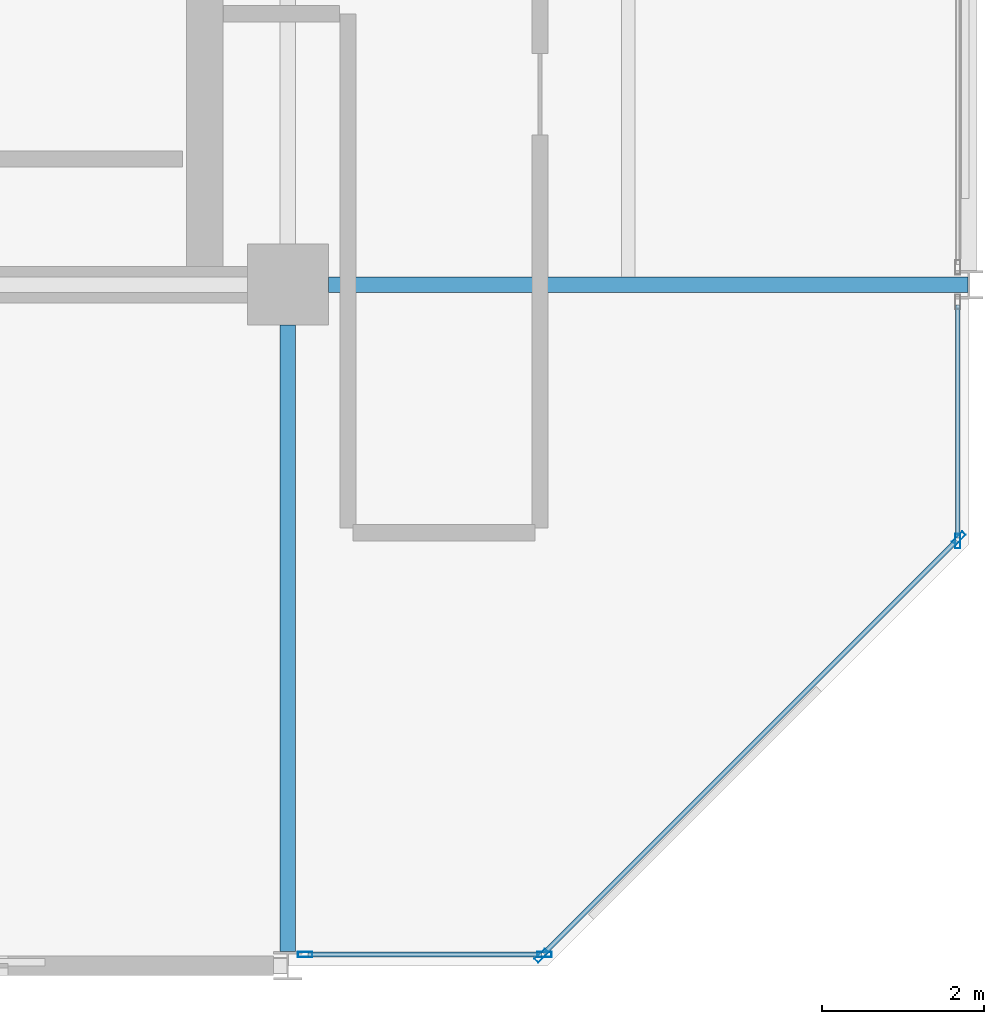
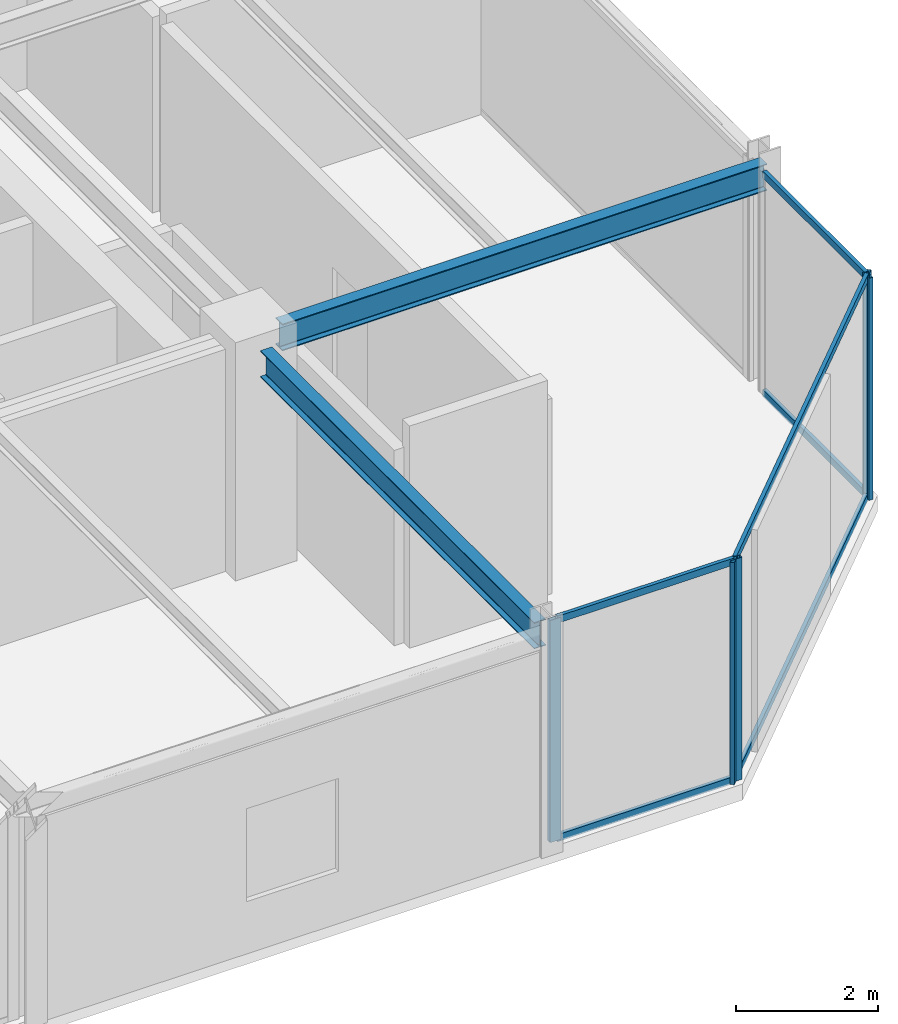
# One storey, part 13 of 25: 11 members, 2 beams, 3 elements without a shape of their own.
"""IFC4 building model written with IfcOpenShell, lengths in metres."""

import ifcopenshell
import ifcopenshell.guid

model = None  # the IFC model being written
_history = None  # IfcOwnerHistory: only IFC2X3 demands one
_inside = {}  # id of a spatial element -> (the spatial element, [elements in it])
_under = {}  # id of a project, library or spatial element -> (it, [spatial elements below it])
_declared = {}  # id of a project -> (the project, [libraries it declares])
_typed = {}  # id of a type object -> (the type object, [elements of that type])
_made_of = {}  # id of a material, layer set ... -> (it, [elements and type objects made of it])


def new_model(schema):
    """Start an empty IFC model of exactly this schema.

    Asked for "IFC4X3", IfcOpenShell would pick the latest addendum, in which some entities
    have other attributes; the version numbers below select the first issue.
    IFC2X3 requires an IfcOwnerHistory on every rooted entity: one is made here for all.
    """
    global model, _history
    if schema == "IFC4X3":
        model = ifcopenshell.file(schema_version=(4, 3, 0, 0))
    else:
        model = ifcopenshell.file(schema=schema)
    _inside.clear()
    _under.clear()
    _declared.clear()
    _typed.clear()
    _made_of.clear()
    _history = None
    if model.schema == "IFC2X3":
        org = make("IfcOrganization", Name="unknown")
        user = make(
            "IfcPersonAndOrganization",
            ThePerson=make("IfcPerson", FamilyName="unknown"),
            TheOrganization=org,
        )
        app = make(
            "IfcApplication",
            ApplicationDeveloper=org,
            Version="unknown",
            ApplicationFullName="unknown",
            ApplicationIdentifier="unknown",
        )
        _history = make(
            "IfcOwnerHistory",
            OwningUser=user,
            OwningApplication=app,
            ChangeAction="ADDED",
            CreationDate=0,
        )
    return model


def make(cls, **values):
    """One entity of the class cls with the attributes given. An attribute that is None is left unset."""
    return model.create_entity(
        cls, **{name: value for name, value in values.items() if value is not None}
    )


def rooted(cls, **values):
    """An entity with a GlobalId (a new one), such as an element, a storey or a relation."""
    return make(cls, GlobalId=ifcopenshell.guid.new(), OwnerHistory=_history, **values)


def si_unit(unit_type, name, prefix=None):
    """IfcSIUnit, for example si_unit("LENGTHUNIT", "METRE", prefix="MILLI")."""
    return make("IfcSIUnit", UnitType=unit_type, Prefix=prefix, Name=name)


def assignment(units):
    """IfcUnitAssignment: the units of a project."""
    return None if units is None else make("IfcUnitAssignment", Units=units)


def point(xyz):
    """IfcCartesianPoint."""
    return None if xyz is None else make("IfcCartesianPoint", Coordinates=xyz)


def direction(xyz):
    """IfcDirection."""
    return None if xyz is None else make("IfcDirection", DirectionRatios=xyz)


def frame(location, z_axis=None, x_axis=None):
    """IfcAxis2Placement3D, a coordinate frame: its origin and axes. An axis left out is left unset."""
    return make(
        "IfcAxis2Placement3D",
        Location=point(location),
        Axis=direction(z_axis),
        RefDirection=direction(x_axis),
    )


def frame_2d(location, x_axis=None):
    """IfcAxis2Placement2D, a coordinate frame in the plane: its origin and x axis."""
    return make(
        "IfcAxis2Placement2D", Location=point(location), RefDirection=direction(x_axis)
    )


def origin():
    """The frame at (0, 0, 0) with its axes left unset."""
    return frame((0.0, 0.0, 0.0))


def origin_2d():
    """The frame at (0, 0) in the plane with its x axis left unset."""
    return frame_2d((0.0, 0.0))


def place(relative_to, where):
    """IfcLocalPlacement: puts the frame where relative to a parent placement (None: the world)."""
    return make(
        "IfcLocalPlacement", PlacementRelTo=relative_to, RelativePlacement=where
    )


def context(
    kind, dimensions, precision=None, world=None, true_north=None, identifier=None
):
    """IfcGeometricRepresentationContext, for example the 3D "Model" context."""
    return make(
        "IfcGeometricRepresentationContext",
        ContextIdentifier=identifier,
        ContextType=kind,
        CoordinateSpaceDimension=dimensions,
        Precision=precision,
        WorldCoordinateSystem=world,
        TrueNorth=true_north,
    )


def subcontext(parent, identifier, kind, view, scale=None):
    """IfcGeometricRepresentationSubContext, for example "Body" below "Model"."""
    return make(
        "IfcGeometricRepresentationSubContext",
        ContextIdentifier=identifier,
        ContextType=kind,
        ParentContext=parent,
        TargetScale=scale,
        TargetView=view,
    )


def project(units=None, contexts=None):
    """IfcProject with its units and contexts."""
    return rooted(
        "IfcProject",
        Name="project",
        RepresentationContexts=contexts,
        UnitsInContext=assignment(units),
    )


def spatial(cls, under=None, at=None, **own):
    """A site, building, storey or space (cls), placed at a placement, below another one or the project."""
    s = rooted(cls, ObjectPlacement=at, **own)
    if under is not None:
        _under.setdefault(under.id(), (under, []))[1].append(s)
    return s


def profile(cls, at=None, kind="AREA", **sizes):
    """A parametric profile (cls). Its sizes go by their IFC names, for example OverallWidth=200.0."""
    return make(cls, ProfileType=kind, Position=at, **sizes)


def hollow_rectangle(**sizes):
    """IfcRectangleHollowProfileDef."""
    return profile("IfcRectangleHollowProfileDef", **sizes)


def i_section(**sizes):
    """IfcIShapeProfileDef."""
    return profile("IfcIShapeProfileDef", **sizes)


def extrude(swept, where, along, depth):
    """IfcExtrudedAreaSolid: the profile swept, set in the frame where, extruded along a direction by depth."""
    return make(
        "IfcExtrudedAreaSolid",
        SweptArea=swept,
        Position=where,
        ExtrudedDirection=direction(along),
        Depth=depth,
    )


def shape(context_of_items, identifier, shape_type, items):
    """IfcShapeRepresentation: the items that make up one representation, for example the "Body"."""
    return make(
        "IfcShapeRepresentation",
        ContextOfItems=context_of_items,
        RepresentationIdentifier=identifier,
        RepresentationType=shape_type,
        Items=items,
    )


def material(Name=None, Category=None):
    """IfcMaterial."""
    return make("IfcMaterial", Name=Name, Category=Category)


def layer(
    of_material, thickness, ventilated=None, Name=None, Category=None, Priority=None
):
    """IfcMaterialLayer: one layer of a wall or slab, of a material (None: an air gap)."""
    return make(
        "IfcMaterialLayer",
        Material=of_material,
        LayerThickness=thickness,
        IsVentilated=ventilated,
        Name=Name,
        Category=Category,
        Priority=Priority,
    )


def layer_set(layers, Name=None):
    """IfcMaterialLayerSet."""
    return make("IfcMaterialLayerSet", MaterialLayers=layers, LayerSetName=Name)


def material_profile(
    of_material, cross_section, Name=None, Category=None, Priority=None
):
    """IfcMaterialProfile: a cross section and its material."""
    return make(
        "IfcMaterialProfile",
        Name=Name,
        Material=of_material,
        Profile=cross_section,
        Priority=Priority,
        Category=Category,
    )


def profile_set(profiles, Name=None, composite=None):
    """IfcMaterialProfileSet."""
    return make(
        "IfcMaterialProfileSet",
        Name=Name,
        MaterialProfiles=profiles,
        CompositeProfile=composite,
    )


def made_of(thing, what):
    """Note that an element or type object is made of a material, layer set ...; save() writes the relation."""
    if what is not None:
        _made_of.setdefault(what.id(), (what, []))[1].append(thing)
    return thing


def type_object(cls, material=None, **own):
    """A type object (cls), such as IfcWallType, which elements share."""
    return made_of(rooted(cls, **own), material)


def element(
    cls,
    number,
    at=None,
    inside=None,
    cuts=None,
    type_object=None,
    material=None,
    context=None,
    identifier="Body",
    shape_type=None,
    held_by="IfcProductDefinitionShape",
    body=None,
    shapes=None,
    **own,
):
    """One element of the class cls, such as IfcWall. Its Tag is "e" and its number.

    at: its placement. inside: the storey or other place that contains it. cuts: it is an
    opening in that element (IfcRelVoidsElement). A single representation is given by context,
    identifier, shape_type and body (its items); several are given by shapes. held_by: the class
    of the entity that holds the representations. save() writes the other relations.
    """
    e = rooted(cls, Tag="e%d" % number, ObjectPlacement=at, **own)
    if body is not None:
        shapes = [shape(context, identifier, shape_type, body)]
    if shapes is not None:
        e.Representation = make(held_by, Representations=shapes)
    if inside is not None:
        _inside.setdefault(inside.id(), (inside, []))[1].append(e)
    if cuts is not None:
        rooted(
            "IfcRelVoidsElement", RelatingBuildingElement=cuts, RelatedOpeningElement=e
        )
    if type_object is not None:
        _typed.setdefault(type_object.id(), (type_object, []))[1].append(e)
    return made_of(e, material)


def aggregate(whole, parts):
    """IfcRelAggregates: a whole, such as a stair, and the parts it consists of."""
    return rooted("IfcRelAggregates", RelatingObject=whole, RelatedObjects=parts)


def save(model, path):
    """Write the relations noted so far, then the file.

    IfcRelAggregates (storeys below a building ...), IfcRelContainedInSpatialStructure (elements
    in a storey), IfcRelDefinesByType, IfcRelAssociatesMaterial and IfcRelDeclares: one each for
    every whole, place, type object, material and project.
    """
    for whole, parts in _under.values():
        aggregate(whole, parts)
    for where, things in _inside.values():
        rooted(
            "IfcRelContainedInSpatialStructure",
            RelatedElements=things,
            RelatingStructure=where,
        )
    for kind, things in _typed.values():
        rooted("IfcRelDefinesByType", RelatedObjects=things, RelatingType=kind)
    for what, things in _made_of.values():
        rooted("IfcRelAssociatesMaterial", RelatedObjects=things, RelatingMaterial=what)
    for by, libraries in _declared.values():
        rooted("IfcRelDeclares", RelatingContext=by, RelatedDefinitions=libraries)
    model.write(path)


model = new_model("IFC4")

# Units and contexts
model_context = context("Model", 3, precision=1e-05, world=origin(), true_north=direction((0.0, 1.0)))
body_context = subcontext(model_context, "Body", "Model", "MODEL_VIEW")
ifc_project = project(units=[si_unit("LENGTHUNIT", "METRE"), si_unit("AREAUNIT", "SQUARE_METRE"), si_unit("VOLUMEUNIT", "CUBIC_METRE"), si_unit("PLANEANGLEUNIT", "RADIAN"), si_unit("MASSUNIT", "GRAM", prefix="KILO")], contexts=[model_context])

# Site, building, storey
site_placement = place(None, origin())
site = spatial("IfcSite", under=ifc_project, at=site_placement, CompositionType="ELEMENT")
building_placement = place(site_placement, origin())
building = spatial("IfcBuilding", under=site, at=building_placement, Name="Nerrivon Quay Data Exchange", CompositionType="ELEMENT")
storey_placement = place(building_placement, frame((0.0, 0.0, 224.699951171875)))
storey = spatial("IfcBuildingStorey", under=building, at=storey_placement, Name="L53", CompositionType="ELEMENT", Elevation=224.699951171875)

# Beams
ifc_material_1 = material(Name="Steel Grade 350", Category="steel")
ifc_material_profile_1 = material_profile(ifc_material_1, i_section(OverallWidth=0.19091796875, OverallDepth=0.4599609375, WebThickness=0.010009765625, FlangeThickness=0.01611328125, FilletRadius=0.011474609375, at=origin_2d()), Name="460UB82.1")
ifc_profile_set_1 = profile_set([ifc_material_profile_1], Name="Steel Grade 350")
beam_type_1 = type_object("IfcBeamType", Name="BM-G5-460UB82", PredefinedType="BEAM", material=ifc_profile_set_1)
beam_1_placement = place(storey_placement, frame((34.10009765625, 8.39990234375, 3.594970703125), z_axis=(1.0, 0.0, 0.0), x_axis=(0.0, 1.0, 0.0)))
element("IfcBeam", 1, at=beam_1_placement, inside=storey, type_object=beam_type_1, Name="L53 EW Girder Y=8.4 (33.6..42.0)", PredefinedType="BEAM", context=body_context, shape_type="SweptSolid", body=[
    extrude(i_section(OverallWidth=0.19091796875, OverallDepth=0.4599609375, WebThickness=0.010009765625, FlangeThickness=0.01611328125, FilletRadius=0.011474609375, at=origin_2d()), origin(), (0.0, 0.0, 1.0), 7.889892578125),
])
ifc_material_profile_2 = material_profile(ifc_material_1, i_section(OverallWidth=0.18994140625, OverallDepth=0.4541015625, WebThickness=0.008544921875, FlangeThickness=0.0126953125, FilletRadius=0.011474609375, at=origin_2d()), Name="460UB67.1")
ifc_profile_set_2 = profile_set([ifc_material_profile_2], Name="Steel Grade 350")
beam_type_2 = type_object("IfcBeamType", Name="BM-G6-460UB67", PredefinedType="BEAM", material=ifc_profile_set_2)
beam_2_placement = place(storey_placement, frame((33.60009765625, 0.175048828125, 3.59814453125), z_axis=(0.0, 1.0, 0.0), x_axis=(-1.0, 0.0, 0.0)))
element("IfcBeam", 2, at=beam_2_placement, inside=storey, type_object=beam_type_2, Name="L53 NS Girder X=33.6 (0.0..8.4)", PredefinedType="BEAM", context=body_context, shape_type="SweptSolid", body=[
    extrude(i_section(OverallWidth=0.18994140625, OverallDepth=0.4541015625, WebThickness=0.008544921875, FlangeThickness=0.0126953125, FilletRadius=0.011474609375, at=origin_2d()), origin(), (0.0, 0.0, 1.0), 7.724853515625),
])

# Curtain wall, members
ifc_material_2 = material(Name="Anodised aluminium 6063-T6", Category="aluminium")
ifc_layer = layer(ifc_material_2, 0.195068359375)
ifc_layer_set = layer_set([ifc_layer], Name="Anodised aluminium 6063-T6")
curtain_wall_type = type_object("IfcCurtainWallType", Name="CW-SYS-06", PredefinedType="NOTDEFINED", material=ifc_layer_set)
curtain_wall_1_placement = place(storey_placement, origin())
curtain_wall_1 = element("IfcCurtainWall", 3, at=curtain_wall_1_placement, inside=storey, type_object=curtain_wall_type, Name="L53 Unitised Curtain Wall 1", PredefinedType="NOTDEFINED")
ifc_material_profile_3 = material_profile(ifc_material_2, hollow_rectangle(XDim=0.06494140625, YDim=0.179931640625, WallThickness=0.00341796875, at=origin_2d()), Name="ALU-MULL-180x65")
ifc_profile_set_3 = profile_set([ifc_material_profile_3], Name="Anodised aluminium 6063-T6")
member_type_1 = type_object("IfcMemberType", Name="CWM-180x65", PredefinedType="MULLION", material=ifc_profile_set_3)
member_1_placement = place(storey_placement, frame((41.87451171875, 5.2724609375, 0.0), z_axis=(0.0, 0.0, 1.0), x_axis=(0.707106781187, -0.707106781187, 0.0)))
member_1 = element("IfcMember", 4, at=member_1_placement, type_object=member_type_1, Name="CW06 mullion 1", PredefinedType="MULLION", context=body_context, shape_type="SweptSolid", body=[
    extrude(hollow_rectangle(XDim=0.06494140625, YDim=0.179931640625, WallThickness=0.00341796875, at=origin_2d()), origin(), (0.0, 0.0, 1.0), 3.824951171875),
])
member_2_placement = place(storey_placement, frame((36.7275390625, 0.12548828125, 0.0), z_axis=(0.0, 0.0, 1.0), x_axis=(0.707106781187, -0.707106781187, 0.0)))
member_2 = element("IfcMember", 5, at=member_2_placement, type_object=member_type_1, Name="CW06 mullion 2", PredefinedType="MULLION", context=body_context, shape_type="SweptSolid", body=[
    extrude(hollow_rectangle(XDim=0.06494140625, YDim=0.179931640625, WallThickness=0.00341796875, at=origin_2d()), origin(), (0.0, 0.0, 1.0), 3.824951171875),
])

curtain_wall_2_placement = place(storey_placement, origin())
curtain_wall_2 = element("IfcCurtainWall", 6, at=curtain_wall_2_placement, inside=storey, type_object=curtain_wall_type, Name="L53 Unitised Curtain Wall 2", PredefinedType="NOTDEFINED")
member_3_placement = place(storey_placement, frame((36.762451171875, 0.139892578125, 0.0), z_axis=(0.0, 0.0, 1.0), x_axis=(0.0, -1.0, 0.0)))
member_3 = element("IfcMember", 7, at=member_3_placement, type_object=member_type_1, Name="CW06 mullion 1", PredefinedType="MULLION", context=body_context, shape_type="SweptSolid", body=[
    extrude(hollow_rectangle(XDim=0.06494140625, YDim=0.179931640625, WallThickness=0.00341796875, at=origin_2d()), origin(), (0.0, 0.0, 1.0), 3.824951171875),
])
member_4_placement = place(storey_placement, frame((33.8125, 0.139892578125, 0.0), z_axis=(0.0, 0.0, 1.0), x_axis=(0.0, -1.0, 0.0)))
member_4 = element("IfcMember", 8, at=member_4_placement, type_object=member_type_1, Name="CW06 mullion 2", PredefinedType="MULLION", context=body_context, shape_type="SweptSolid", body=[
    extrude(hollow_rectangle(XDim=0.06494140625, YDim=0.179931640625, WallThickness=0.00341796875, at=origin_2d()), origin(), (0.0, 0.0, 1.0), 3.824951171875),
])

# Curtain wall, member
curtain_wall_3_placement = place(storey_placement, origin())
curtain_wall_3 = element("IfcCurtainWall", 9, at=curtain_wall_3_placement, inside=storey, type_object=curtain_wall_type, Name="L53 Unitised Curtain Wall 28", PredefinedType="NOTDEFINED")
member_5_placement = place(storey_placement, frame((41.860107421875, 5.237548828125, 0.0), z_axis=(0.0, 0.0, 1.0), x_axis=(1.0, 0.0, 0.0)))
member_5 = element("IfcMember", 10, at=member_5_placement, type_object=member_type_1, Name="CW06 mullion 2", PredefinedType="MULLION", context=body_context, shape_type="SweptSolid", body=[
    extrude(hollow_rectangle(XDim=0.06494140625, YDim=0.179931640625, WallThickness=0.00341796875, at=origin_2d()), origin(), (0.0, 0.0, 1.0), 3.824951171875),
])

# Member
ifc_material_profile_4 = material_profile(ifc_material_2, hollow_rectangle(XDim=0.06005859375, YDim=0.1201171875, WallThickness=0.003173828125, at=origin_2d()), Name="ALU-TRAN-120x60")
ifc_profile_set_4 = profile_set([ifc_material_profile_4], Name="Anodised aluminium 6063-T6")
member_type_2 = type_object("IfcMemberType", Name="CWT-120x60", PredefinedType="USERDEFINED", material=ifc_profile_set_4)
member_6_placement = place(storey_placement, frame((41.847900390625, 5.245849609375, 0.032470703125), z_axis=(-0.707106781187, -0.707106781187, 0.0), x_axis=(0.707106781187, -0.707106781187, 0.0)))
member_6 = element("IfcMember", 11, at=member_6_placement, type_object=member_type_2, Name="CW06 transom 1.1", ObjectType="TRANSOM", PredefinedType="USERDEFINED", context=body_context, shape_type="SweptSolid", body=[
    extrude(hollow_rectangle(XDim=0.06005859375, YDim=0.1201171875, WallThickness=0.003173828125, at=origin_2d()), origin(), (0.0, 0.0, 1.0), 7.20361328125),
])

member_7_placement = place(storey_placement, frame((41.847900390625, 5.245849609375, 3.79248046875), z_axis=(-0.707106781187, -0.707106781187, 0.0), x_axis=(0.707106781187, -0.707106781187, 0.0)))
member_7 = element("IfcMember", 12, at=member_7_placement, type_object=member_type_2, Name="CW06 transom 1.2", ObjectType="TRANSOM", PredefinedType="USERDEFINED", context=body_context, shape_type="SweptSolid", body=[
    extrude(hollow_rectangle(XDim=0.06005859375, YDim=0.1201171875, WallThickness=0.003173828125, at=origin_2d()), origin(), (0.0, 0.0, 1.0), 7.20361328125),
])

aggregate(curtain_wall_1, [member_1, member_2, member_6, member_7])

member_8_placement = place(storey_placement, frame((36.72509765625, 0.139892578125, 0.032470703125), z_axis=(-1.0, 0.0, 0.0), x_axis=(0.0, -1.0, 0.0)))
member_8 = element("IfcMember", 13, at=member_8_placement, type_object=member_type_2, Name="CW06 transom 1.1", ObjectType="TRANSOM", PredefinedType="USERDEFINED", context=body_context, shape_type="SweptSolid", body=[
    extrude(hollow_rectangle(XDim=0.06005859375, YDim=0.1201171875, WallThickness=0.003173828125, at=origin_2d()), origin(), (0.0, 0.0, 1.0), 2.875),
])

member_9_placement = place(storey_placement, frame((36.72509765625, 0.139892578125, 3.79248046875), z_axis=(-1.0, 0.0, 0.0), x_axis=(0.0, -1.0, 0.0)))
member_9 = element("IfcMember", 14, at=member_9_placement, type_object=member_type_2, Name="CW06 transom 1.2", ObjectType="TRANSOM", PredefinedType="USERDEFINED", context=body_context, shape_type="SweptSolid", body=[
    extrude(hollow_rectangle(XDim=0.06005859375, YDim=0.1201171875, WallThickness=0.003173828125, at=origin_2d()), origin(), (0.0, 0.0, 1.0), 2.875),
])

aggregate(curtain_wall_2, [member_3, member_4, member_8, member_9])

member_10_placement = place(storey_placement, frame((41.860107421875, 8.14990234375, 0.032470703125), z_axis=(0.0, -1.0, 0.0), x_axis=(1.0, 0.0, 0.0)))
member_10 = element("IfcMember", 15, at=member_10_placement, type_object=member_type_2, Name="CW06 transom 1.1", ObjectType="TRANSOM", PredefinedType="USERDEFINED", context=body_context, shape_type="SweptSolid", body=[
    extrude(hollow_rectangle(XDim=0.06005859375, YDim=0.1201171875, WallThickness=0.003173828125, at=origin_2d()), origin(), (0.0, 0.0, 1.0), 2.875),
])

member_11_placement = place(storey_placement, frame((41.860107421875, 8.14990234375, 3.79248046875), z_axis=(0.0, -1.0, 0.0), x_axis=(1.0, 0.0, 0.0)))
member_11 = element("IfcMember", 16, at=member_11_placement, type_object=member_type_2, Name="CW06 transom 1.2", ObjectType="TRANSOM", PredefinedType="USERDEFINED", context=body_context, shape_type="SweptSolid", body=[
    extrude(hollow_rectangle(XDim=0.06005859375, YDim=0.1201171875, WallThickness=0.003173828125, at=origin_2d()), origin(), (0.0, 0.0, 1.0), 2.875),
])

aggregate(curtain_wall_3, [member_5, member_10, member_11])

save(model, "model.ifc")
